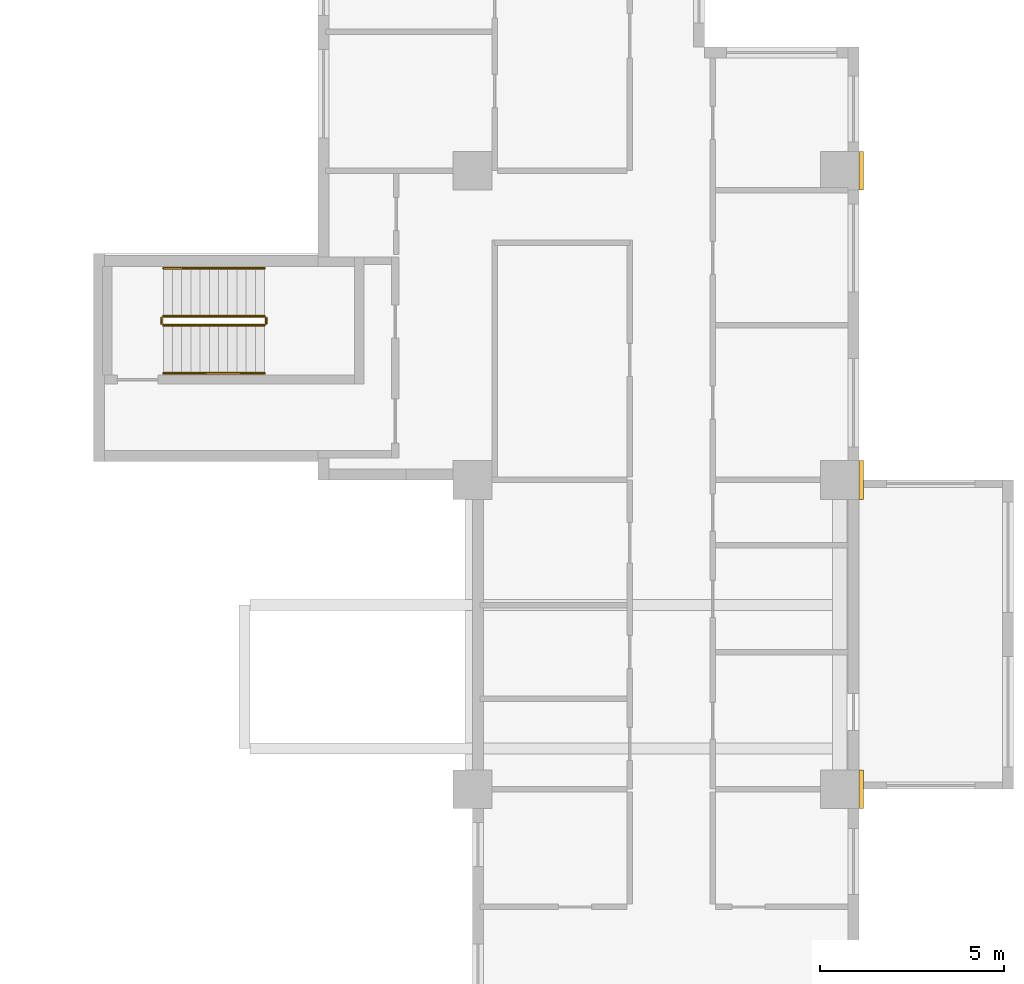
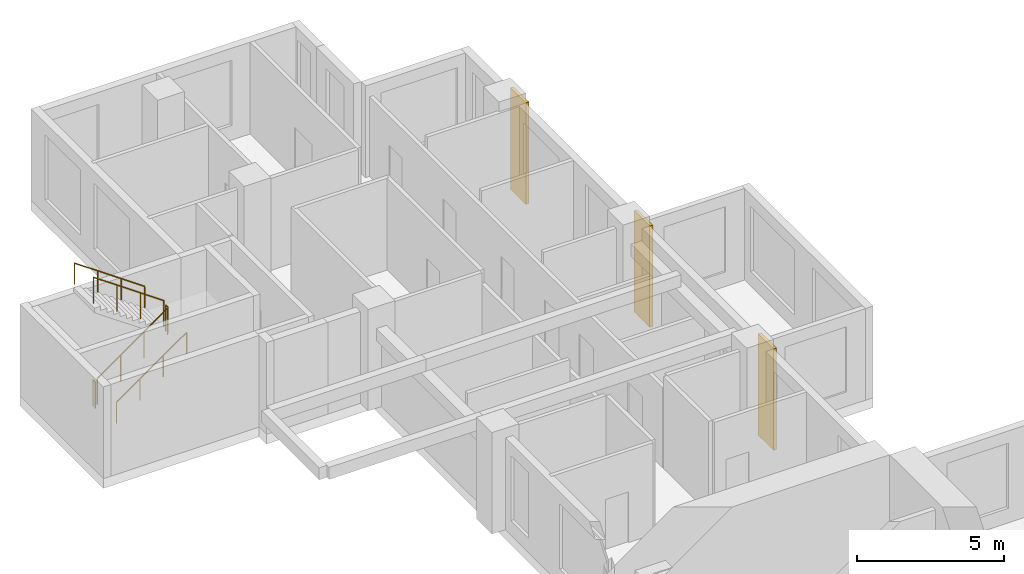
# One storey, part 13 of 14: 6 railings, 3 coverings.
"""IFC4 building model written with IfcOpenShell, lengths in metres."""

from ifc_helpers import new_model, si_unit, direction, frame, origin, origin_2d, place, context, subcontext, project, spatial, rectangle, circle, extrude, source, transform, mapped, material, type_object, element, save


model = new_model("IFC4")

# Units and contexts
model_context = context("Model", 3, precision=1e-05, world=origin(), true_north=direction((0.0, 1.0)))
body_context = subcontext(model_context, "Body", "Model", "MODEL_VIEW")
ifc_project = project(units=[si_unit("LENGTHUNIT", "METRE"), si_unit("AREAUNIT", "SQUARE_METRE"), si_unit("VOLUMEUNIT", "CUBIC_METRE"), si_unit("PLANEANGLEUNIT", "RADIAN"), si_unit("MASSUNIT", "GRAM", prefix="KILO")], contexts=[model_context])

# Site, building, storey
site_placement = place(None, origin())
site = spatial("IfcSite", under=ifc_project, at=site_placement, CompositionType="ELEMENT")
building_placement = place(site_placement, origin())
building = spatial("IfcBuilding", under=site, at=building_placement, Name="Aurelian Terraces", CompositionType="ELEMENT")
storey_placement = place(building_placement, frame((0.0, 0.0, 132.9)))
storey = spatial("IfcBuildingStorey", under=building, at=storey_placement, Name="L29", CompositionType="ELEMENT", Elevation=132.9)

# Coverings
ifc_material_1 = material(Name="Terracotta rainscreen cladding relief", Category="masonry")
covering_type = type_object("IfcCoveringType", Name="BAGUETTE-TC", PredefinedType="CLADDING", material=ifc_material_1)
shared_shape_1 = source(origin(), body_context, "Body", "SweptSolid", [
    extrude(rectangle(XDim=0.12, YDim=1.05, at=origin_2d()), origin(), (0.0, 0.0, 1.0), 4.2),
])
for number, where, z_axis, x_axis, name in (
    (1, (21.06, 29.4, -0.4), (0.0, 0.0, 1.0), (1.0, 0.0, 0.0), "BAGUETTE pier L29 10"),
    (2, (21.06, 37.8, -0.4), (0.0, 0.0, 1.0), (1.0, 0.0, 0.0), "BAGUETTE pier L29 11"),
    (3, (21.06, 46.2, -0.4), (0.0, 0.0, 1.0), (1.0, 0.0, 0.0), "BAGUETTE pier L29 12"),
):
    element("IfcCovering", number, at=place(storey_placement, frame(where, z_axis=z_axis, x_axis=x_axis)), inside=storey, type_object=covering_type, Name=name, PredefinedType="CLADDING", context=body_context, shape_type="MappedRepresentation", body=[
        mapped(shared_shape_1, transform((0.0, 0.0, 0.0), scale=1.0)),
    ])

# Railings
ifc_material_2 = material(Name="Stainless steel", Category="steel")
railing_type_1 = type_object("IfcRailingType", Name="Stair guard 1100", PredefinedType="GUARDRAIL", material=ifc_material_2)
shared_shape_2 = source(origin(), body_context, "Body", "SweptSolid", [
    extrude(circle(Radius=0.024, at=origin_2d()), frame((0.0, 0.0, 1.076), z_axis=(0.0, 1.0, 0.0), x_axis=(-1.0, 0.0, 0.0)), (0.0, 0.0, 1.0), 0.15),
    extrude(circle(Radius=0.021, at=origin_2d()), origin(), (0.0, 0.0, 1.0), 1.052),
    extrude(circle(Radius=0.021, at=origin_2d()), frame((0.0, 0.15, 0.0)), (0.0, 0.0, 1.0), 1.052),
])
for number, where, name in (
    (4, (4.9, 42.05, 2.1), "L29 S3 stair guard 2"),
    (5, (2.05, 42.05, 0.0), "L29 S3 stair guard 4"),
):
    element("IfcRailing", number, at=place(storey_placement, frame(where)), inside=storey, type_object=railing_type_1, Name=name, PredefinedType="GUARDRAIL", context=body_context, shape_type="MappedRepresentation", body=[
        mapped(shared_shape_2, transform((0.0, 0.0, 0.0), scale=1.0)),
    ])
shared_shape_3 = source(origin(), body_context, "Body", "SweptSolid", [
    extrude(circle(Radius=0.024, at=origin_2d()), frame((0.0, 0.0, 1.076), z_axis=(0.819231920519, 0.0, 0.573462344363), x_axis=(0.0, 1.0, 0.0)), (0.0, 0.0, 1.0), 3.3568),
    extrude(circle(Radius=0.021, at=origin_2d()), origin(), (0.0, 0.0, 1.0), 1.052),
    extrude(circle(Radius=0.021, at=origin_2d()), frame((0.9167, 0.0, 0.6417)), (0.0, 0.0, 1.0), 1.052),
    extrude(circle(Radius=0.021, at=origin_2d()), frame((1.8333, 0.0, 1.2833)), (0.0, 0.0, 1.0), 1.052),
    extrude(circle(Radius=0.021, at=origin_2d()), frame((2.75, 0.0, 1.925)), (0.0, 0.0, 1.0), 1.052),
])
railing_1_placement = place(storey_placement, frame((2.1, 42.0, 0.175)))
element("IfcRailing", 6, at=railing_1_placement, inside=storey, type_object=railing_type_1, Name="L29 S3 stair guard 1", PredefinedType="GUARDRAIL", context=body_context, shape_type="MappedRepresentation", body=[
    mapped(shared_shape_3, transform((0.0, 0.0, 0.0), scale=1.0)),
])
shared_shape_4 = source(origin(), body_context, "Body", "SweptSolid", [
    extrude(circle(Radius=0.024, at=origin_2d()), frame((0.0, 0.0, 1.076), z_axis=(-0.819231920519, 0.0, 0.573462344363), x_axis=(0.0, -1.0, 0.0)), (0.0, 0.0, 1.0), 3.3568),
    extrude(circle(Radius=0.021, at=origin_2d()), origin(), (0.0, 0.0, 1.0), 1.052),
    extrude(circle(Radius=0.021, at=origin_2d()), frame((-0.9167, 0.0, 0.6417)), (0.0, 0.0, 1.0), 1.052),
    extrude(circle(Radius=0.021, at=origin_2d()), frame((-1.8333, 0.0, 1.2833)), (0.0, 0.0, 1.0), 1.052),
    extrude(circle(Radius=0.021, at=origin_2d()), frame((-2.75, 0.0, 1.925)), (0.0, 0.0, 1.0), 1.052),
])
railing_2_placement = place(storey_placement, frame((4.85, 42.25, 2.275)))
element("IfcRailing", 7, at=railing_2_placement, inside=storey, type_object=railing_type_1, Name="L29 S3 stair guard 3", PredefinedType="GUARDRAIL", context=body_context, shape_type="MappedRepresentation", body=[
    mapped(shared_shape_4, transform((0.0, 0.0, 0.0), scale=1.0)),
])
railing_type_2 = type_object("IfcRailingType", Name="Stair handrail", PredefinedType="HANDRAIL", material=ifc_material_2)
shared_shape_5 = source(origin(), body_context, "Body", "SweptSolid", [
    extrude(circle(Radius=0.024, at=origin_2d()), frame((0.0, 0.0, 0.876), z_axis=(0.819231920519, 0.0, 0.573462344363), x_axis=(0.0, 1.0, 0.0)), (0.0, 0.0, 1.0), 3.3568),
    extrude(circle(Radius=0.021, at=origin_2d()), origin(), (0.0, 0.0, 1.0), 0.852),
    extrude(circle(Radius=0.021, at=origin_2d()), frame((0.9167, 0.0, 0.6417)), (0.0, 0.0, 1.0), 0.852),
    extrude(circle(Radius=0.021, at=origin_2d()), frame((1.8333, 0.0, 1.2833)), (0.0, 0.0, 1.0), 0.852),
    extrude(circle(Radius=0.021, at=origin_2d()), frame((2.75, 0.0, 1.925)), (0.0, 0.0, 1.0), 0.852),
])
railing_3_placement = place(storey_placement, frame((2.1, 40.7, 0.175)))
element("IfcRailing", 8, at=railing_3_placement, inside=storey, type_object=railing_type_2, Name="L29 S3 stair handrail 1", PredefinedType="HANDRAIL", context=body_context, shape_type="MappedRepresentation", body=[
    mapped(shared_shape_5, transform((0.0, 0.0, 0.0), scale=1.0)),
])
shared_shape_6 = source(origin(), body_context, "Body", "SweptSolid", [
    extrude(circle(Radius=0.024, at=origin_2d()), frame((0.0, 0.0, 0.876), z_axis=(-0.819231920519, 0.0, 0.573462344363), x_axis=(0.0, -1.0, 0.0)), (0.0, 0.0, 1.0), 3.3568),
    extrude(circle(Radius=0.021, at=origin_2d()), origin(), (0.0, 0.0, 1.0), 0.852),
    extrude(circle(Radius=0.021, at=origin_2d()), frame((-0.9167, 0.0, 0.6417)), (0.0, 0.0, 1.0), 0.852),
    extrude(circle(Radius=0.021, at=origin_2d()), frame((-1.8333, 0.0, 1.2833)), (0.0, 0.0, 1.0), 0.852),
    extrude(circle(Radius=0.021, at=origin_2d()), frame((-2.75, 0.0, 1.925)), (0.0, 0.0, 1.0), 0.852),
])
railing_4_placement = place(storey_placement, frame((4.85, 43.55, 2.275)))
element("IfcRailing", 9, at=railing_4_placement, inside=storey, type_object=railing_type_2, Name="L29 S3 stair handrail 2", PredefinedType="HANDRAIL", context=body_context, shape_type="MappedRepresentation", body=[
    mapped(shared_shape_6, transform((0.0, 0.0, 0.0), scale=1.0)),
])

save(model, "model.ifc")
